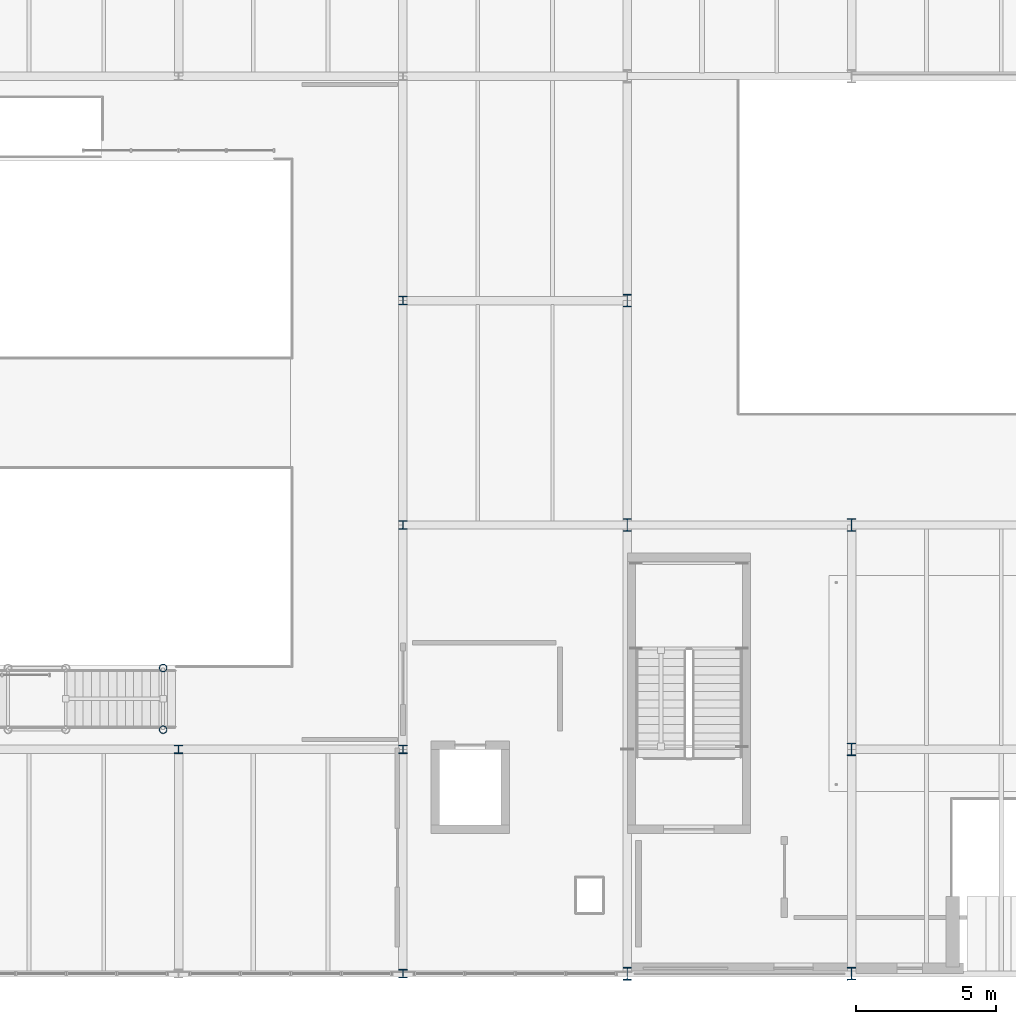
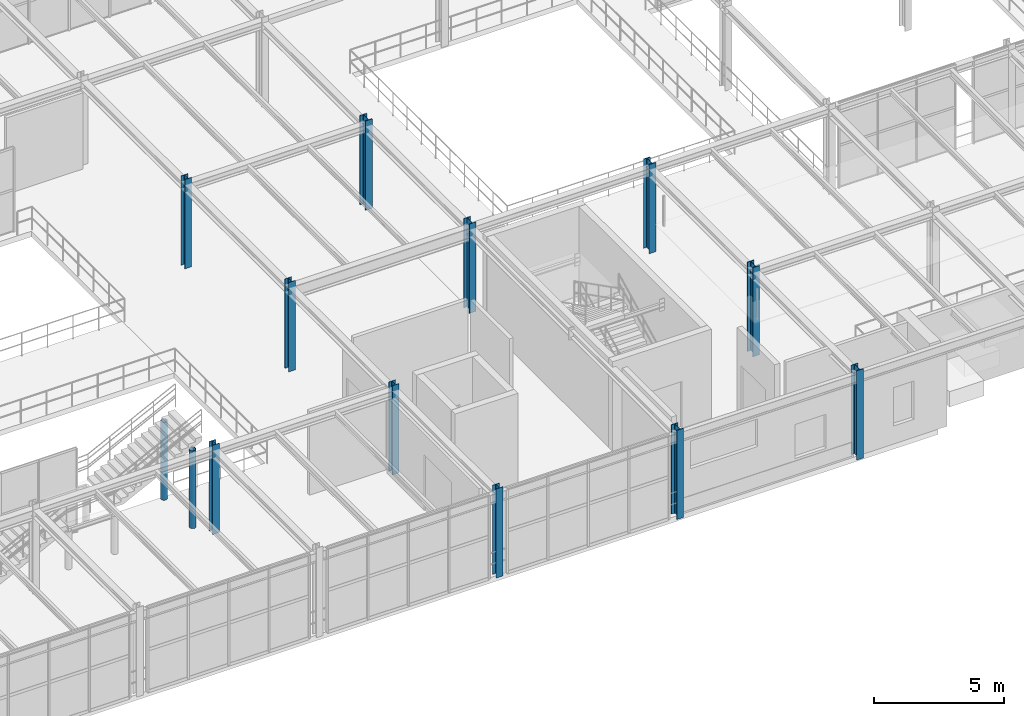
# One storey, part 3 of 124: 13 columns.
"""IFC4 building model written with IfcOpenShell, lengths in metres."""

from ifc_helpers import new_model, si_unit, direction, frame, origin, origin_2d, place, context, subcontext, project, spatial, hollow_circle, i_section, extrude, material, material_profile, profile_set, type_object, element, save


model = new_model("IFC4")

# Units and contexts
model_context = context("Model", 3, precision=1e-05, world=origin(), true_north=direction((0.0, 1.0)))
body_context = subcontext(model_context, "Body", "Model", "MODEL_VIEW")
ifc_project = project(units=[si_unit("LENGTHUNIT", "METRE"), si_unit("AREAUNIT", "SQUARE_METRE"), si_unit("VOLUMEUNIT", "CUBIC_METRE"), si_unit("PLANEANGLEUNIT", "RADIAN"), si_unit("MASSUNIT", "GRAM", prefix="KILO")], contexts=[model_context])

# Site, building, storey
site_placement = place(None, origin())
site = spatial("IfcSite", under=ifc_project, at=site_placement, CompositionType="ELEMENT")
building_placement = place(site_placement, origin())
building = spatial("IfcBuilding", under=site, at=building_placement, Name="Sundkrona Museum", CompositionType="ELEMENT")
storey_placement = place(building_placement, frame((0.0, 0.0, 17.60009765625)))
storey = spatial("IfcBuildingStorey", under=building, at=storey_placement, Name="L03", CompositionType="ELEMENT", Elevation=17.60009765625)

# Columns
ifc_material = material(Name="Steel S355J2", Category="steel")
ifc_material_profile_1 = material_profile(ifc_material, hollow_circle(Radius=0.136474609375, WallThickness=0.012451171875, at=origin_2d()), Name="CHS 273.0x12.5")
ifc_profile_set_1 = profile_set([ifc_material_profile_1], Name="Steel S355J2")
column_type_1 = type_object("IfcColumnType", Name="C-CHS273", PredefinedType="COLUMN", material=ifc_profile_set_1)
for number, where, z_axis, x_axis, name in (
    (1, (103.449951171875, 8.699951171875, 0.0), (0.0, 0.0, 1.0), (1.0, 0.0, 0.0), "L03 Feature Stair FS-4 Column S3-1"),
    (2, (103.449951171875, 10.89990234375, 0.0), (0.0, 0.0, 1.0), (1.0, 0.0, 0.0), "L03 Feature Stair FS-4 Column S3-2"),
):
    element("IfcColumn", number, at=place(storey_placement, frame(where, z_axis=z_axis, x_axis=x_axis)), inside=storey, type_object=column_type_1, Name=name, PredefinedType="COLUMN", context=body_context, shape_type="SweptSolid", body=[
        extrude(hollow_circle(Radius=0.136474609375, WallThickness=0.012451171875, at=origin_2d()), origin(), (0.0, 0.0, 1.0), 3.659912109375),
    ])
ifc_material_profile_2 = material_profile(ifc_material, i_section(OverallWidth=0.300048828125, OverallDepth=0.300048828125, WebThickness=0.010986328125, FlangeThickness=0.01904296875, FilletRadius=0.027099609375, at=origin_2d()), Name="HEB 300")
ifc_profile_set_2 = profile_set([ifc_material_profile_2], Name="Steel S355J2")
column_type_2 = type_object("IfcColumnType", Name="C-HEB300", PredefinedType="COLUMN", material=ifc_profile_set_2)
for number, where, z_axis, x_axis, name in (
    (3, (104.0, 8.0, 0.0), (0.0, 0.0, 1.0), (1.0, 0.0, 0.0), "L03 Column B/14"),
    (4, (112.0, 0.0, 0.0), (0.0, 0.0, 1.0), (1.0, 0.0, 0.0), "L03 Column A/15"),
    (5, (112.0, 8.0, 0.0), (0.0, 0.0, 1.0), (1.0, 0.0, 0.0), "L03 Column B/15"),
    (6, (112.0, 16.0, 0.0), (0.0, 0.0, 1.0), (1.0, 0.0, 0.0), "L03 Column C/15"),
    (7, (112.0, 24.0, 0.0), (0.0, 0.0, 1.0), (1.0, 0.0, 0.0), "L03 Column D/15"),
):
    element("IfcColumn", number, at=place(storey_placement, frame(where, z_axis=z_axis, x_axis=x_axis)), inside=storey, type_object=column_type_2, Name=name, PredefinedType="COLUMN", context=body_context, shape_type="SweptSolid", body=[
        extrude(i_section(OverallWidth=0.300048828125, OverallDepth=0.300048828125, WebThickness=0.010986328125, FlangeThickness=0.01904296875, FilletRadius=0.027099609375, at=origin_2d()), origin(), (0.0, 0.0, 1.0), 4.199951171875),
    ])
ifc_material_profile_3 = material_profile(ifc_material, i_section(OverallWidth=0.300048828125, OverallDepth=0.449951171875, WebThickness=0.013916015625, FlangeThickness=0.02587890625, FilletRadius=0.027099609375, at=origin_2d()), Name="HEB 450")
ifc_profile_set_3 = profile_set([ifc_material_profile_3], Name="Steel S355J2")
column_type_3 = type_object("IfcColumnType", Name="C-HEB450", PredefinedType="COLUMN", material=ifc_profile_set_3)
for number, where, z_axis, x_axis, name in (
    (8, (120.0, 0.0, 0.0), (0.0, 0.0, 1.0), (1.0, 0.0, 0.0), "L03 Column A/16"),
    (9, (120.0, 16.0, 0.0), (0.0, 0.0, 1.0), (1.0, 0.0, 0.0), "L03 Column C/16"),
    (10, (120.0, 24.0, 0.0), (0.0, 0.0, 1.0), (1.0, 0.0, 0.0), "L03 Column D/16"),
    (11, (128.0, 0.0, 0.0), (0.0, 0.0, 1.0), (1.0, 0.0, 0.0), "L03 Column A/17"),
    (12, (128.0, 8.0, 0.0), (0.0, 0.0, 1.0), (1.0, 0.0, 0.0), "L03 Column B/17"),
    (13, (128.0, 16.0, 0.0), (0.0, 0.0, 1.0), (1.0, 0.0, 0.0), "L03 Column C/17"),
):
    element("IfcColumn", number, at=place(storey_placement, frame(where, z_axis=z_axis, x_axis=x_axis)), inside=storey, type_object=column_type_3, Name=name, PredefinedType="COLUMN", context=body_context, shape_type="SweptSolid", body=[
        extrude(i_section(OverallWidth=0.300048828125, OverallDepth=0.449951171875, WebThickness=0.013916015625, FlangeThickness=0.02587890625, FilletRadius=0.027099609375, at=origin_2d()), origin(), (0.0, 0.0, 1.0), 4.199951171875),
    ])

save(model, "model.ifc")
